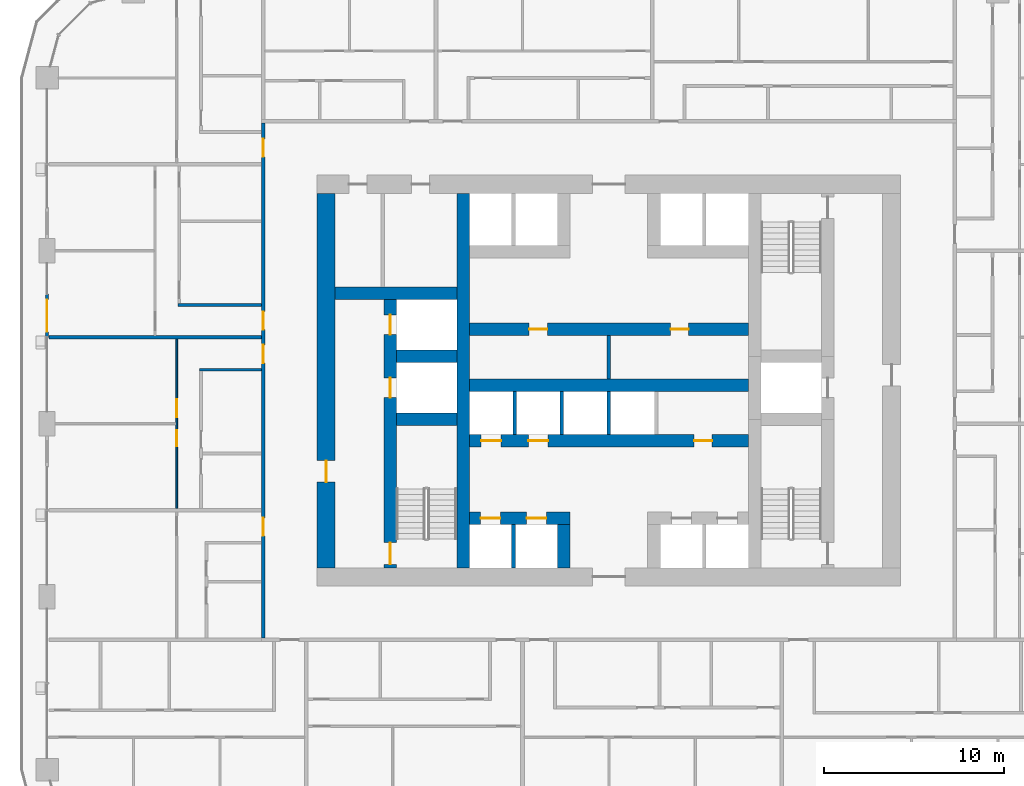
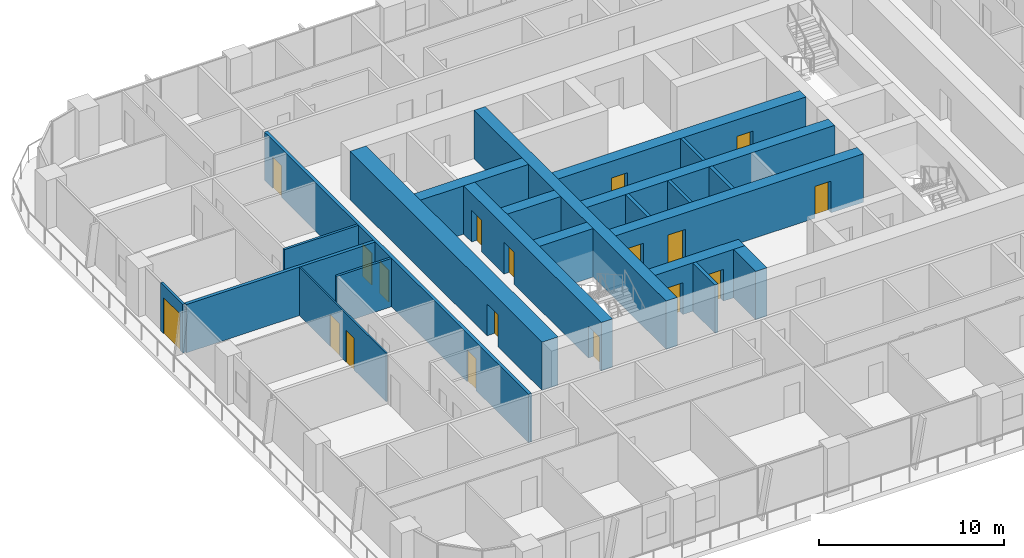
# One storey, part 10 of 21: 22 walls, 18 doors, 18 openings.
"""IFC4 building model written with IfcOpenShell, lengths in metres."""

import ifcopenshell
import ifcopenshell.guid

model = None  # the IFC model being written
_history = None  # IfcOwnerHistory: only IFC2X3 demands one
_inside = {}  # id of a spatial element -> (the spatial element, [elements in it])
_under = {}  # id of a project, library or spatial element -> (it, [spatial elements below it])
_declared = {}  # id of a project -> (the project, [libraries it declares])
_typed = {}  # id of a type object -> (the type object, [elements of that type])
_made_of = {}  # id of a material, layer set ... -> (it, [elements and type objects made of it])


def new_model(schema):
    """Start an empty IFC model of exactly this schema.

    Asked for "IFC4X3", IfcOpenShell would pick the latest addendum, in which some entities
    have other attributes; the version numbers below select the first issue.
    IFC2X3 requires an IfcOwnerHistory on every rooted entity: one is made here for all.
    """
    global model, _history
    if schema == "IFC4X3":
        model = ifcopenshell.file(schema_version=(4, 3, 0, 0))
    else:
        model = ifcopenshell.file(schema=schema)
    _inside.clear()
    _under.clear()
    _declared.clear()
    _typed.clear()
    _made_of.clear()
    _history = None
    if model.schema == "IFC2X3":
        org = make("IfcOrganization", Name="unknown")
        user = make(
            "IfcPersonAndOrganization",
            ThePerson=make("IfcPerson", FamilyName="unknown"),
            TheOrganization=org,
        )
        app = make(
            "IfcApplication",
            ApplicationDeveloper=org,
            Version="unknown",
            ApplicationFullName="unknown",
            ApplicationIdentifier="unknown",
        )
        _history = make(
            "IfcOwnerHistory",
            OwningUser=user,
            OwningApplication=app,
            ChangeAction="ADDED",
            CreationDate=0,
        )
    return model


def make(cls, **values):
    """One entity of the class cls with the attributes given. An attribute that is None is left unset."""
    return model.create_entity(
        cls, **{name: value for name, value in values.items() if value is not None}
    )


def rooted(cls, **values):
    """An entity with a GlobalId (a new one), such as an element, a storey or a relation."""
    return make(cls, GlobalId=ifcopenshell.guid.new(), OwnerHistory=_history, **values)


def si_unit(unit_type, name, prefix=None):
    """IfcSIUnit, for example si_unit("LENGTHUNIT", "METRE", prefix="MILLI")."""
    return make("IfcSIUnit", UnitType=unit_type, Prefix=prefix, Name=name)


def assignment(units):
    """IfcUnitAssignment: the units of a project."""
    return None if units is None else make("IfcUnitAssignment", Units=units)


def point(xyz):
    """IfcCartesianPoint."""
    return None if xyz is None else make("IfcCartesianPoint", Coordinates=xyz)


def direction(xyz):
    """IfcDirection."""
    return None if xyz is None else make("IfcDirection", DirectionRatios=xyz)


def frame(location, z_axis=None, x_axis=None):
    """IfcAxis2Placement3D, a coordinate frame: its origin and axes. An axis left out is left unset."""
    return make(
        "IfcAxis2Placement3D",
        Location=point(location),
        Axis=direction(z_axis),
        RefDirection=direction(x_axis),
    )


def frame_2d(location, x_axis=None):
    """IfcAxis2Placement2D, a coordinate frame in the plane: its origin and x axis."""
    return make(
        "IfcAxis2Placement2D", Location=point(location), RefDirection=direction(x_axis)
    )


def origin():
    """The frame at (0, 0, 0) with its axes left unset."""
    return frame((0.0, 0.0, 0.0))


def place(relative_to, where):
    """IfcLocalPlacement: puts the frame where relative to a parent placement (None: the world)."""
    return make(
        "IfcLocalPlacement", PlacementRelTo=relative_to, RelativePlacement=where
    )


def context(
    kind, dimensions, precision=None, world=None, true_north=None, identifier=None
):
    """IfcGeometricRepresentationContext, for example the 3D "Model" context."""
    return make(
        "IfcGeometricRepresentationContext",
        ContextIdentifier=identifier,
        ContextType=kind,
        CoordinateSpaceDimension=dimensions,
        Precision=precision,
        WorldCoordinateSystem=world,
        TrueNorth=true_north,
    )


def subcontext(parent, identifier, kind, view, scale=None):
    """IfcGeometricRepresentationSubContext, for example "Body" below "Model"."""
    return make(
        "IfcGeometricRepresentationSubContext",
        ContextIdentifier=identifier,
        ContextType=kind,
        ParentContext=parent,
        TargetScale=scale,
        TargetView=view,
    )


def project(units=None, contexts=None):
    """IfcProject with its units and contexts."""
    return rooted(
        "IfcProject",
        Name="project",
        RepresentationContexts=contexts,
        UnitsInContext=assignment(units),
    )


def spatial(cls, under=None, at=None, **own):
    """A site, building, storey or space (cls), placed at a placement, below another one or the project."""
    s = rooted(cls, ObjectPlacement=at, **own)
    if under is not None:
        _under.setdefault(under.id(), (under, []))[1].append(s)
    return s


def profile(cls, at=None, kind="AREA", **sizes):
    """A parametric profile (cls). Its sizes go by their IFC names, for example OverallWidth=200.0."""
    return make(cls, ProfileType=kind, Position=at, **sizes)


def rectangle(**sizes):
    """IfcRectangleProfileDef."""
    return profile("IfcRectangleProfileDef", **sizes)


def extrude(swept, where, along, depth):
    """IfcExtrudedAreaSolid: the profile swept, set in the frame where, extruded along a direction by depth."""
    return make(
        "IfcExtrudedAreaSolid",
        SweptArea=swept,
        Position=where,
        ExtrudedDirection=direction(along),
        Depth=depth,
    )


def shape(context_of_items, identifier, shape_type, items):
    """IfcShapeRepresentation: the items that make up one representation, for example the "Body"."""
    return make(
        "IfcShapeRepresentation",
        ContextOfItems=context_of_items,
        RepresentationIdentifier=identifier,
        RepresentationType=shape_type,
        Items=items,
    )


def material(Name=None, Category=None):
    """IfcMaterial."""
    return make("IfcMaterial", Name=Name, Category=Category)


def layer(
    of_material, thickness, ventilated=None, Name=None, Category=None, Priority=None
):
    """IfcMaterialLayer: one layer of a wall or slab, of a material (None: an air gap)."""
    return make(
        "IfcMaterialLayer",
        Material=of_material,
        LayerThickness=thickness,
        IsVentilated=ventilated,
        Name=Name,
        Category=Category,
        Priority=Priority,
    )


def layer_set(layers, Name=None):
    """IfcMaterialLayerSet."""
    return make("IfcMaterialLayerSet", MaterialLayers=layers, LayerSetName=Name)


def made_of(thing, what):
    """Note that an element or type object is made of a material, layer set ...; save() writes the relation."""
    if what is not None:
        _made_of.setdefault(what.id(), (what, []))[1].append(thing)
    return thing


def type_object(cls, material=None, **own):
    """A type object (cls), such as IfcWallType, which elements share."""
    return made_of(rooted(cls, **own), material)


def element(
    cls,
    number,
    at=None,
    inside=None,
    cuts=None,
    type_object=None,
    material=None,
    context=None,
    identifier="Body",
    shape_type=None,
    held_by="IfcProductDefinitionShape",
    body=None,
    shapes=None,
    **own,
):
    """One element of the class cls, such as IfcWall. Its Tag is "e" and its number.

    at: its placement. inside: the storey or other place that contains it. cuts: it is an
    opening in that element (IfcRelVoidsElement). A single representation is given by context,
    identifier, shape_type and body (its items); several are given by shapes. held_by: the class
    of the entity that holds the representations. save() writes the other relations.
    """
    e = rooted(cls, Tag="e%d" % number, ObjectPlacement=at, **own)
    if body is not None:
        shapes = [shape(context, identifier, shape_type, body)]
    if shapes is not None:
        e.Representation = make(held_by, Representations=shapes)
    if inside is not None:
        _inside.setdefault(inside.id(), (inside, []))[1].append(e)
    if cuts is not None:
        rooted(
            "IfcRelVoidsElement", RelatingBuildingElement=cuts, RelatedOpeningElement=e
        )
    if type_object is not None:
        _typed.setdefault(type_object.id(), (type_object, []))[1].append(e)
    return made_of(e, material)


def fill(opening, filler):
    """IfcRelFillsElement: the door or window that sits in an opening."""
    return rooted(
        "IfcRelFillsElement",
        RelatingOpeningElement=opening,
        RelatedBuildingElement=filler,
    )


def aggregate(whole, parts):
    """IfcRelAggregates: a whole, such as a stair, and the parts it consists of."""
    return rooted("IfcRelAggregates", RelatingObject=whole, RelatedObjects=parts)


def save(model, path):
    """Write the relations noted so far, then the file.

    IfcRelAggregates (storeys below a building ...), IfcRelContainedInSpatialStructure (elements
    in a storey), IfcRelDefinesByType, IfcRelAssociatesMaterial and IfcRelDeclares: one each for
    every whole, place, type object, material and project.
    """
    for whole, parts in _under.values():
        aggregate(whole, parts)
    for where, things in _inside.values():
        rooted(
            "IfcRelContainedInSpatialStructure",
            RelatedElements=things,
            RelatingStructure=where,
        )
    for kind, things in _typed.values():
        rooted("IfcRelDefinesByType", RelatedObjects=things, RelatingType=kind)
    for what, things in _made_of.values():
        rooted("IfcRelAssociatesMaterial", RelatedObjects=things, RelatingMaterial=what)
    for by, libraries in _declared.values():
        rooted("IfcRelDeclares", RelatingContext=by, RelatedDefinitions=libraries)
    model.write(path)


model = new_model("IFC4")

# Units and contexts
model_context = context("Model", 3, precision=1e-05, world=origin(), true_north=direction((0.0, 1.0)))
body_context = subcontext(model_context, "Body", "Model", "MODEL_VIEW")
ifc_project = project(units=[si_unit("LENGTHUNIT", "METRE"), si_unit("AREAUNIT", "SQUARE_METRE"), si_unit("VOLUMEUNIT", "CUBIC_METRE"), si_unit("PLANEANGLEUNIT", "RADIAN"), si_unit("MASSUNIT", "GRAM", prefix="KILO")], contexts=[model_context])

# Site, building, storey
site_placement = place(None, origin())
site = spatial("IfcSite", under=ifc_project, at=site_placement, CompositionType="ELEMENT")
building_placement = place(site_placement, origin())
building = spatial("IfcBuilding", under=site, at=building_placement, Name="Madar Terraces", CompositionType="ELEMENT")
storey_placement = place(building_placement, frame((0.0, 0.0, 39.89990234375)))
storey = spatial("IfcBuildingStorey", under=building, at=storey_placement, Name="L09", CompositionType="ELEMENT", Elevation=39.89990234375)

# Wall, openings, doors
ifc_material_1 = material(Name="Concrete C80/95", Category="concrete")
ifc_layer_1 = layer(ifc_material_1, 0.699951171875)
ifc_layer_set_1 = layer_set([ifc_layer_1], Name="Concrete C80/95 (CIW1 RC wall 700)")
wall_type_1 = type_object("IfcWallType", Name="CIW1 RC wall 700", PredefinedType="SHEAR", material=ifc_layer_set_1)
wall_1_placement = place(storey_placement, frame((19.050048828125, 16.0, 0.0), z_axis=(0.0, 0.0, 1.0), x_axis=(0.0, 1.0, 0.0)))
wall_1 = element("IfcWall", 1, at=wall_1_placement, inside=storey, type_object=wall_type_1, Name="CORE SHAFT WALL", PredefinedType="SHEAR", context=body_context, shape_type="SweptSolid", body=[
    extrude(rectangle(XDim=14.89990234375, YDim=0.699951171875, at=frame_2d((7.449951171875, 0.0))), origin(), (0.0, 0.0, 1.0), 3.2001953125),
])
opening_1_placement = place(wall_1_placement, frame((9.449951171875, 0.0, 0.0)))
opening_1 = element("IfcOpeningElement", 2, at=opening_1_placement, cuts=wall_1, Name="Opening LD", PredefinedType="OPENING", context=body_context, shape_type="SweptSolid", body=[
    extrude(rectangle(XDim=1.10009765625, YDim=2.10009765625, at=frame_2d((0.550048828125, 1.050048828125))), frame((0.0, 0.35986328125, 0.0), z_axis=(0.0, -1.0, 0.0), x_axis=(1.0, 0.0, 0.0)), (0.0, 0.0, 1.0), 0.719970703125),
])
opening_2_placement = place(wall_1_placement, frame((12.949951171875, 0.0, 0.0)))
opening_2 = element("IfcOpeningElement", 3, at=opening_2_placement, cuts=wall_1, Name="Opening LD", PredefinedType="OPENING", context=body_context, shape_type="SweptSolid", body=[
    extrude(rectangle(XDim=1.10009765625, YDim=2.10009765625, at=frame_2d((0.550048828125, 1.050048828125))), frame((0.0, 0.35986328125, 0.0), z_axis=(0.0, -1.0, 0.0), x_axis=(1.0, 0.0, 0.0)), (0.0, 0.0, 1.0), 0.719970703125),
])
opening_3_placement = place(wall_1_placement, frame((0.199951171875, 0.0, 0.0)))
opening_3 = element("IfcOpeningElement", 4, at=opening_3_placement, cuts=wall_1, Name="Opening SD1", PredefinedType="OPENING", context=body_context, shape_type="SweptSolid", body=[
    extrude(rectangle(XDim=1.199951171875, YDim=2.10009765625, at=frame_2d((0.60009765625, 1.050048828125))), frame((0.0, 0.35986328125, 0.0), z_axis=(0.0, -1.0, 0.0), x_axis=(1.0, 0.0, 0.0)), (0.0, 0.0, 1.0), 0.719970703125),
])
ifc_material_2 = material(Name="Stainless steel panel", Category="steel")
door_type_1 = type_object("IfcDoorType", Name="Lift landing door 1100 x 2100", OperationType="DOUBLE_DOOR_SLIDING", PredefinedType="DOOR", material=ifc_material_2)
door_1_placement = place(opening_1_placement, origin())
door_1 = element("IfcDoor", 5, at=door_1_placement, inside=storey, type_object=door_type_1, Name="LIFT LANDING DOOR", OperationType="DOUBLE_DOOR_SLIDING", OverallHeight=2.10009765625, OverallWidth=1.10009765625, PredefinedType="DOOR", context=body_context, shape_type="SweptSolid", body=[
    extrude(rectangle(XDim=1.10009765625, YDim=2.10009765625, at=frame_2d((0.550048828125, 1.050048828125))), frame((0.0, 0.02490234375, 0.0), z_axis=(0.0, -1.0, 0.0), x_axis=(1.0, 0.0, 0.0)), (0.0, 0.0, 1.0), 0.050048828125),
])
fill(opening_1, door_1)
door_2_placement = place(opening_2_placement, origin())
door_2 = element("IfcDoor", 6, at=door_2_placement, inside=storey, type_object=door_type_1, Name="LIFT LANDING DOOR", OperationType="DOUBLE_DOOR_SLIDING", OverallHeight=2.10009765625, OverallWidth=1.10009765625, PredefinedType="DOOR", context=body_context, shape_type="SweptSolid", body=[
    extrude(rectangle(XDim=1.10009765625, YDim=2.10009765625, at=frame_2d((0.550048828125, 1.050048828125))), frame((0.0, 0.02490234375, 0.0), z_axis=(0.0, -1.0, 0.0), x_axis=(1.0, 0.0, 0.0)), (0.0, 0.0, 1.0), 0.050048828125),
])
fill(opening_2, door_2)
ifc_material_3 = material(Name="Steel door leaf", Category="steel")
door_type_2 = type_object("IfcDoorType", Name="Stair door 1200 x 2100", OperationType="NOTDEFINED", PredefinedType="DOOR", material=ifc_material_3)
door_3_placement = place(opening_3_placement, frame((1.199951171875, 0.0, 0.0), z_axis=(0.0, 0.0, 1.0), x_axis=(-1.0, 0.0, 0.0)))
door_3 = element("IfcDoor", 7, at=door_3_placement, inside=storey, type_object=door_type_2, Name="STAIR DOOR", OperationType="SINGLE_SWING_LEFT", OverallHeight=2.10009765625, OverallWidth=1.199951171875, PredefinedType="DOOR", context=body_context, shape_type="SweptSolid", body=[
    extrude(rectangle(XDim=1.199951171875, YDim=2.10009765625, at=frame_2d((0.60009765625, 1.050048828125))), frame((0.0, 0.02490234375, 0.0), z_axis=(0.0, -1.0, 0.0), x_axis=(1.0, 0.0, 0.0)), (0.0, 0.0, 1.0), 0.050048828125),
])
fill(opening_3, door_3)

# Walls
wall_2_placement = place(storey_placement, frame((23.10009765625, 16.0, 0.0), z_axis=(0.0, 0.0, 1.0), x_axis=(0.0, 1.0, 0.0)))
element("IfcWall", 8, at=wall_2_placement, inside=storey, type_object=wall_type_1, Name="CORE SHAFT WALL", PredefinedType="SHEAR", context=body_context, shape_type="SweptSolid", body=[
    extrude(rectangle(XDim=20.800048828125, YDim=0.699951171875, at=frame_2d((10.39990234375, 0.0))), origin(), (0.0, 0.0, 1.0), 3.2001953125),
])
for number, where, z_axis, x_axis, name in (
    (9, (19.39990234375, 24.25, 0.0), (0.0, 0.0, 1.0), (1.0, 0.0, 0.0), "CORE SHAFT WALL"),
    (10, (19.39990234375, 27.75, 0.0), (0.0, 0.0, 1.0), (1.0, 0.0, 0.0), "CORE SHAFT WALL"),
):
    element("IfcWall", number, at=place(storey_placement, frame(where, z_axis=z_axis, x_axis=x_axis)), inside=storey, type_object=wall_type_1, Name=name, PredefinedType="SHEAR", context=body_context, shape_type="SweptSolid", body=[
        extrude(rectangle(XDim=3.35009765625, YDim=0.699951171875, at=frame_2d((1.675048828125, 0.0))), origin(), (0.0, 0.0, 1.0), 3.2001953125),
    ])
wall_3_placement = place(storey_placement, frame((16.0, 31.25, 0.0), z_axis=(0.0, 0.0, 1.0), x_axis=(1.0, 0.0, 0.0)))
element("IfcWall", 11, at=wall_3_placement, inside=storey, type_object=wall_type_1, Name="CORE SHAFT WALL", PredefinedType="SHEAR", context=body_context, shape_type="SweptSolid", body=[
    extrude(rectangle(XDim=6.75, YDim=0.699951171875, at=frame_2d((3.375, 0.0))), origin(), (0.0, 0.0, 1.0), 3.2001953125),
])

# Wall, openings, doors
wall_4_placement = place(storey_placement, frame((23.449951171875, 18.75, 0.0), z_axis=(0.0, 0.0, 1.0), x_axis=(1.0, 0.0, 0.0)))
wall_4 = element("IfcWall", 12, at=wall_4_placement, inside=storey, type_object=wall_type_1, Name="CORE SHAFT WALL", PredefinedType="SHEAR", context=body_context, shape_type="SweptSolid", body=[
    extrude(rectangle(XDim=5.60009765625, YDim=0.699951171875, at=frame_2d((2.800048828125, 0.0))), origin(), (0.0, 0.0, 1.0), 3.2001953125),
])
opening_4_placement = place(wall_4_placement, frame((0.625, 0.0, 0.0)))
opening_4 = element("IfcOpeningElement", 13, at=opening_4_placement, cuts=wall_4, Name="Opening LD", PredefinedType="OPENING", context=body_context, shape_type="SweptSolid", body=[
    extrude(rectangle(XDim=1.10009765625, YDim=2.10009765625, at=frame_2d((0.550048828125, 1.050048828125))), frame((0.0, 0.35986328125, 0.0), z_axis=(0.0, -1.0, 0.0), x_axis=(1.0, 0.0, 0.0)), (0.0, 0.0, 1.0), 0.719970703125),
])
opening_5_placement = place(wall_4_placement, frame((3.175048828125, 0.0, 0.0)))
opening_5 = element("IfcOpeningElement", 14, at=opening_5_placement, cuts=wall_4, Name="Opening LD", PredefinedType="OPENING", context=body_context, shape_type="SweptSolid", body=[
    extrude(rectangle(XDim=1.10009765625, YDim=2.10009765625, at=frame_2d((0.550048828125, 1.050048828125))), frame((0.0, 0.35986328125, 0.0), z_axis=(0.0, -1.0, 0.0), x_axis=(1.0, 0.0, 0.0)), (0.0, 0.0, 1.0), 0.719970703125),
])
door_4_placement = place(opening_4_placement, origin())
door_4 = element("IfcDoor", 15, at=door_4_placement, inside=storey, type_object=door_type_1, Name="LIFT LANDING DOOR", OperationType="DOUBLE_DOOR_SLIDING", OverallHeight=2.10009765625, OverallWidth=1.10009765625, PredefinedType="DOOR", context=body_context, shape_type="SweptSolid", body=[
    extrude(rectangle(XDim=1.10009765625, YDim=2.10009765625, at=frame_2d((0.550048828125, 1.050048828125))), frame((0.0, 0.02490234375, 0.0), z_axis=(0.0, -1.0, 0.0), x_axis=(1.0, 0.0, 0.0)), (0.0, 0.0, 1.0), 0.050048828125),
])
fill(opening_4, door_4)
door_5_placement = place(opening_5_placement, origin())
door_5 = element("IfcDoor", 16, at=door_5_placement, inside=storey, type_object=door_type_1, Name="LIFT LANDING DOOR", OperationType="DOUBLE_DOOR_SLIDING", OverallHeight=2.10009765625, OverallWidth=1.10009765625, PredefinedType="DOOR", context=body_context, shape_type="SweptSolid", body=[
    extrude(rectangle(XDim=1.10009765625, YDim=2.10009765625, at=frame_2d((0.550048828125, 1.050048828125))), frame((0.0, 0.02490234375, 0.0), z_axis=(0.0, -1.0, 0.0), x_axis=(1.0, 0.0, 0.0)), (0.0, 0.0, 1.0), 0.050048828125),
])
fill(opening_5, door_5)

wall_5_placement = place(storey_placement, frame((23.449951171875, 23.050048828125, 0.0), z_axis=(0.0, 0.0, 1.0), x_axis=(1.0, 0.0, 0.0)))
wall_5 = element("IfcWall", 17, at=wall_5_placement, inside=storey, type_object=wall_type_1, Name="CORE SHAFT WALL", PredefinedType="SHEAR", context=body_context, shape_type="SweptSolid", body=[
    extrude(rectangle(XDim=15.5, YDim=0.699951171875, at=frame_2d((7.75, 0.0))), origin(), (0.0, 0.0, 1.0), 3.2001953125),
])
opening_6_placement = place(wall_5_placement, frame((0.658447265625, 0.0, 0.0)))
opening_6 = element("IfcOpeningElement", 18, at=opening_6_placement, cuts=wall_5, Name="Opening LD", PredefinedType="OPENING", context=body_context, shape_type="SweptSolid", body=[
    extrude(rectangle(XDim=1.10009765625, YDim=2.10009765625, at=frame_2d((0.550048828125, 1.050048828125))), frame((0.0, 0.35986328125, 0.0), z_axis=(0.0, -1.0, 0.0), x_axis=(1.0, 0.0, 0.0)), (0.0, 0.0, 1.0), 0.719970703125),
])
opening_7_placement = place(wall_5_placement, frame((3.27490234375, 0.0, 0.0)))
opening_7 = element("IfcOpeningElement", 19, at=opening_7_placement, cuts=wall_5, Name="Opening LD", PredefinedType="OPENING", context=body_context, shape_type="SweptSolid", body=[
    extrude(rectangle(XDim=1.10009765625, YDim=2.10009765625, at=frame_2d((0.550048828125, 1.050048828125))), frame((0.0, 0.35986328125, 0.0), z_axis=(0.0, -1.0, 0.0), x_axis=(1.0, 0.0, 0.0)), (0.0, 0.0, 1.0), 0.719970703125),
])
opening_8_placement = place(wall_5_placement, frame((12.4833984375, 0.0, 0.0)))
opening_8 = element("IfcOpeningElement", 20, at=opening_8_placement, cuts=wall_5, Name="Opening KD2", PredefinedType="OPENING", context=body_context, shape_type="SweptSolid", body=[
    extrude(rectangle(XDim=1.0, YDim=2.10009765625, at=frame_2d((0.5, 1.050048828125))), frame((0.0, 0.35986328125, 0.0), z_axis=(0.0, -1.0, 0.0), x_axis=(1.0, 0.0, 0.0)), (0.0, 0.0, 1.0), 0.719970703125),
])
door_6_placement = place(opening_6_placement, origin())
door_6 = element("IfcDoor", 21, at=door_6_placement, inside=storey, type_object=door_type_1, Name="LIFT LANDING DOOR", OperationType="DOUBLE_DOOR_SLIDING", OverallHeight=2.10009765625, OverallWidth=1.10009765625, PredefinedType="DOOR", context=body_context, shape_type="SweptSolid", body=[
    extrude(rectangle(XDim=1.10009765625, YDim=2.10009765625, at=frame_2d((0.550048828125, 1.050048828125))), frame((0.0, 0.02490234375, 0.0), z_axis=(0.0, -1.0, 0.0), x_axis=(1.0, 0.0, 0.0)), (0.0, 0.0, 1.0), 0.050048828125),
])
fill(opening_6, door_6)
door_7_placement = place(opening_7_placement, origin())
door_7 = element("IfcDoor", 22, at=door_7_placement, inside=storey, type_object=door_type_1, Name="LIFT LANDING DOOR", OperationType="DOUBLE_DOOR_SLIDING", OverallHeight=2.10009765625, OverallWidth=1.10009765625, PredefinedType="DOOR", context=body_context, shape_type="SweptSolid", body=[
    extrude(rectangle(XDim=1.10009765625, YDim=2.10009765625, at=frame_2d((0.550048828125, 1.050048828125))), frame((0.0, 0.02490234375, 0.0), z_axis=(0.0, -1.0, 0.0), x_axis=(1.0, 0.0, 0.0)), (0.0, 0.0, 1.0), 0.050048828125),
])
fill(opening_7, door_7)
ifc_material_4 = material(Name="Steel door leaf", Category="steel")
door_type_3 = type_object("IfcDoorType", Name="Service room door 1000 x 2100", OperationType="NOTDEFINED", PredefinedType="DOOR", material=ifc_material_4)
door_8_placement = place(opening_8_placement, frame((1.0, 0.0, 0.0), z_axis=(0.0, 0.0, 1.0), x_axis=(-1.0, 0.0, 0.0)))
door_8 = element("IfcDoor", 23, at=door_8_placement, inside=storey, type_object=door_type_3, Name="SERVICE ROOM DOOR", OperationType="SINGLE_SWING_RIGHT", OverallHeight=2.10009765625, OverallWidth=1.0, PredefinedType="DOOR", context=body_context, shape_type="SweptSolid", body=[
    extrude(rectangle(XDim=1.0, YDim=2.10009765625, at=frame_2d((0.5, 1.050048828125))), frame((0.0, 0.02490234375, 0.0), z_axis=(0.0, -1.0, 0.0), x_axis=(1.0, 0.0, 0.0)), (0.0, 0.0, 1.0), 0.050048828125),
])
fill(opening_8, door_8)

# Wall
wall_6_placement = place(storey_placement, frame((23.449951171875, 26.14990234375, 0.0), z_axis=(0.0, 0.0, 1.0), x_axis=(1.0, 0.0, 0.0)))
element("IfcWall", 24, at=wall_6_placement, inside=storey, type_object=wall_type_1, Name="CORE SHAFT WALL", PredefinedType="SHEAR", context=body_context, shape_type="SweptSolid", body=[
    extrude(rectangle(XDim=15.5, YDim=0.699951171875, at=frame_2d((7.75, 0.0))), origin(), (0.0, 0.0, 1.0), 3.2001953125),
])

# Wall, openings, doors
wall_7_placement = place(storey_placement, frame((23.449951171875, 29.25, 0.0), z_axis=(0.0, 0.0, 1.0), x_axis=(1.0, 0.0, 0.0)))
wall_7 = element("IfcWall", 25, at=wall_7_placement, inside=storey, type_object=wall_type_1, Name="CORE SHAFT WALL", PredefinedType="SHEAR", context=body_context, shape_type="SweptSolid", body=[
    extrude(rectangle(XDim=15.5, YDim=0.699951171875, at=frame_2d((7.75, 0.0))), origin(), (0.0, 0.0, 1.0), 3.2001953125),
])
opening_9_placement = place(wall_7_placement, frame((3.324951171875, 0.0, 0.0)))
opening_9 = element("IfcOpeningElement", 26, at=opening_9_placement, cuts=wall_7, Name="Opening KD2", PredefinedType="OPENING", context=body_context, shape_type="SweptSolid", body=[
    extrude(rectangle(XDim=1.0, YDim=2.10009765625, at=frame_2d((0.5, 1.050048828125))), frame((0.0, 0.35986328125, 0.0), z_axis=(0.0, -1.0, 0.0), x_axis=(1.0, 0.0, 0.0)), (0.0, 0.0, 1.0), 0.719970703125),
])
opening_10_placement = place(wall_7_placement, frame((11.175048828125, 0.0, 0.0)))
opening_10 = element("IfcOpeningElement", 27, at=opening_10_placement, cuts=wall_7, Name="Opening KD2", PredefinedType="OPENING", context=body_context, shape_type="SweptSolid", body=[
    extrude(rectangle(XDim=1.0, YDim=2.10009765625, at=frame_2d((0.5, 1.050048828125))), frame((0.0, 0.35986328125, 0.0), z_axis=(0.0, -1.0, 0.0), x_axis=(1.0, 0.0, 0.0)), (0.0, 0.0, 1.0), 0.719970703125),
])
door_9_placement = place(opening_9_placement, origin())
door_9 = element("IfcDoor", 28, at=door_9_placement, inside=storey, type_object=door_type_3, Name="SERVICE ROOM DOOR", OperationType="SINGLE_SWING_LEFT", OverallHeight=2.10009765625, OverallWidth=1.0, PredefinedType="DOOR", context=body_context, shape_type="SweptSolid", body=[
    extrude(rectangle(XDim=1.0, YDim=2.10009765625, at=frame_2d((0.5, 1.050048828125))), frame((0.0, 0.02490234375, 0.0), z_axis=(0.0, -1.0, 0.0), x_axis=(1.0, 0.0, 0.0)), (0.0, 0.0, 1.0), 0.050048828125),
])
fill(opening_9, door_9)
door_10_placement = place(opening_10_placement, origin())
door_10 = element("IfcDoor", 29, at=door_10_placement, inside=storey, type_object=door_type_3, Name="SERVICE ROOM DOOR", OperationType="SINGLE_SWING_RIGHT", OverallHeight=2.10009765625, OverallWidth=1.0, PredefinedType="DOOR", context=body_context, shape_type="SweptSolid", body=[
    extrude(rectangle(XDim=1.0, YDim=2.10009765625, at=frame_2d((0.5, 1.050048828125))), frame((0.0, 0.02490234375, 0.0), z_axis=(0.0, -1.0, 0.0), x_axis=(1.0, 0.0, 0.0)), (0.0, 0.0, 1.0), 0.050048828125),
])
fill(opening_10, door_10)

# Wall
wall_8_placement = place(storey_placement, frame((28.699951171875, 16.0, 0.0), z_axis=(0.0, 0.0, 1.0), x_axis=(0.0, 1.0, 0.0)))
element("IfcWall", 30, at=wall_8_placement, inside=storey, type_object=wall_type_1, Name="CORE SHAFT WALL", PredefinedType="SHEAR", context=body_context, shape_type="SweptSolid", body=[
    extrude(rectangle(XDim=2.39990234375, YDim=0.699951171875, at=frame_2d((1.199951171875, 0.0))), origin(), (0.0, 0.0, 1.0), 3.2001953125),
])

# Wall, opening, door
ifc_material_5 = material(Name="Concrete C80/95", Category="concrete")
ifc_layer_2 = layer(ifc_material_5, 1.0)
ifc_layer_set_2 = layer_set([ifc_layer_2], Name="Concrete C80/95 (CRW1 RC wall 1000)")
wall_type_2 = type_object("IfcWallType", Name="CRW1 RC wall 1000", PredefinedType="SHEAR", material=ifc_layer_set_2)
wall_9_placement = place(storey_placement, frame((15.5, 16.0, 0.0), z_axis=(0.0, 0.0, 1.0), x_axis=(0.0, 1.0, 0.0)))
wall_9 = element("IfcWall", 31, at=wall_9_placement, inside=storey, type_object=wall_type_2, Name="CORE OUTER WALL", PredefinedType="SHEAR", context=body_context, shape_type="SweptSolid", body=[
    extrude(rectangle(XDim=20.800048828125, YDim=1.0, at=frame_2d((10.39990234375, 0.0))), origin(), (0.0, 0.0, 1.0), 3.2001953125),
])
opening_11_placement = place(wall_9_placement, frame((4.760009765625, 0.0, 0.0)))
opening_11 = element("IfcOpeningElement", 32, at=opening_11_placement, cuts=wall_9, Name="Opening SD1", PredefinedType="OPENING", context=body_context, shape_type="SweptSolid", body=[
    extrude(rectangle(XDim=1.199951171875, YDim=2.10009765625, at=frame_2d((0.60009765625, 1.050048828125))), frame((0.0, 0.510009765625, 0.0), z_axis=(0.0, -1.0, 0.0), x_axis=(1.0, 0.0, 0.0)), (0.0, 0.0, 1.0), 1.02001953125),
])
door_11_placement = place(opening_11_placement, frame((1.199951171875, 0.0, 0.0), z_axis=(0.0, 0.0, 1.0), x_axis=(-1.0, 0.0, 0.0)))
door_11 = element("IfcDoor", 33, at=door_11_placement, inside=storey, type_object=door_type_2, Name="STAIR DOOR", OperationType="SINGLE_SWING_RIGHT", OverallHeight=2.10009765625, OverallWidth=1.199951171875, PredefinedType="DOOR", context=body_context, shape_type="SweptSolid", body=[
    extrude(rectangle(XDim=1.199951171875, YDim=2.10009765625, at=frame_2d((0.60009765625, 1.050048828125))), frame((0.0, 0.02490234375, 0.0), z_axis=(0.0, -1.0, 0.0), x_axis=(1.0, 0.0, 0.0)), (0.0, 0.0, 1.0), 0.050048828125),
])
fill(opening_11, door_11)

# Walls
ifc_material_6 = material(Name="Masonry blockwork", Category="masonry")
ifc_layer_3 = layer(ifc_material_6, 0.199951171875)
ifc_layer_set_3 = layer_set([ifc_layer_3], Name="Core partition 200 blockwork")
wall_type_3 = type_object("IfcWallType", Name="Core partition 200 blockwork", PredefinedType="PARTITIONING", material=ifc_layer_set_3)
wall_10_placement = place(storey_placement, frame((31.199951171875, 26.5, 0.0), z_axis=(0.0, 0.0, 1.0), x_axis=(0.0, 1.0, 0.0)))
element("IfcWall", 34, at=wall_10_placement, inside=storey, type_object=wall_type_3, Name="SERVICE ROOM PARTITION", PredefinedType="PARTITIONING", context=body_context, shape_type="SweptSolid", body=[
    extrude(rectangle(XDim=2.39990234375, YDim=0.199951171875, at=frame_2d((1.199951171875, 0.0))), origin(), (0.0, 0.0, 1.0), 3.2001953125),
])
ifc_material_7 = material(Name="Concrete C40/50", Category="concrete")
ifc_layer_4 = layer(ifc_material_7, 0.199951171875)
ifc_layer_set_4 = layer_set([ifc_layer_4], Name="Core shaft dividing wall 200 C40/50")
wall_type_4 = type_object("IfcWallType", Name="Core shaft dividing wall 200 C40/50", PredefinedType="SOLIDWALL", material=ifc_layer_set_4)
for number, where, z_axis, x_axis, name in (
    (35, (25.966552734375, 23.39990234375, 0.0), (0.0, 0.0, 1.0), (0.0, 1.0, 0.0), "SHAFT DIVIDING WALL"),
    (36, (28.583251953125, 23.39990234375, 0.0), (0.0, 0.0, 1.0), (0.0, 1.0, 0.0), "SHAFT DIVIDING WALL"),
    (37, (31.199951171875, 23.39990234375, 0.0), (0.0, 0.0, 1.0), (0.0, 1.0, 0.0), "SHAFT DIVIDING WALL"),
):
    element("IfcWall", number, at=place(storey_placement, frame(where, z_axis=z_axis, x_axis=x_axis)), inside=storey, type_object=wall_type_4, Name=name, PredefinedType="SOLIDWALL", context=body_context, shape_type="SweptSolid", body=[
        extrude(rectangle(XDim=2.400146484375, YDim=0.199951171875, at=frame_2d((1.2001953125, 0.0))), origin(), (0.0, 0.0, 1.0), 3.2001953125),
    ])
wall_11_placement = place(storey_placement, frame((25.89990234375, 16.0, 0.0), z_axis=(0.0, 0.0, 1.0), x_axis=(0.0, 1.0, 0.0)))
element("IfcWall", 38, at=wall_11_placement, inside=storey, type_object=wall_type_4, Name="SHAFT DIVIDING WALL", PredefinedType="SOLIDWALL", context=body_context, shape_type="SweptSolid", body=[
    extrude(rectangle(XDim=2.39990234375, YDim=0.199951171875, at=frame_2d((1.199951171875, 0.0))), origin(), (0.0, 0.0, 1.0), 3.2001953125),
])

# Wall, opening, door
ifc_material_8 = material(Name="Aluminium composite panel, black, over insulated backing", Category="aluminium")
ifc_layer_5 = layer(ifc_material_8, 0.14990234375)
ifc_layer_set_5 = layer_set([ifc_layer_5], Name="Facade bay panel 150")
wall_type_5 = type_object("IfcWallType", Name="Facade bay panel 150", PredefinedType="SOLIDWALL", material=ifc_layer_set_5)
wall_12_placement = place(storey_placement, frame((0.0, 31.199951171875, 0.0), z_axis=(0.0, 0.0, 1.0), x_axis=(0.0, -1.0, 0.0)))
wall_12 = element("IfcWall", 39, at=wall_12_placement, inside=storey, type_object=wall_type_5, Name="Facade bay panel", PredefinedType="SOLIDWALL", context=body_context, shape_type="SweptSolid", body=[
    extrude(rectangle(XDim=2.39990234375, YDim=0.14990234375, at=frame_2d((1.199951171875, 0.0))), origin(), (0.0, 0.0, 1.0), 3.2001953125),
])
opening_12_placement = place(wall_12_placement, frame((0.300048828125, 0.0, 0.0)))
opening_12 = element("IfcOpeningElement", 40, at=opening_12_placement, cuts=wall_12, Name="Opening ED1", PredefinedType="OPENING", context=body_context, shape_type="SweptSolid", body=[
    extrude(rectangle(XDim=1.800048828125, YDim=2.39990234375, at=frame_2d((0.89990234375, 1.199951171875))), frame((0.0, 0.0849609375, 0.0), z_axis=(0.0, -1.0, 0.0), x_axis=(1.0, 0.0, 0.0)), (0.0, 0.0, 1.0), 0.169921875),
])
ifc_material_9 = material(Name="Glass, clear, with black aluminium frame", Category="aluminium")
door_type_4 = type_object("IfcDoorType", Name="Balcony and terrace sliding door 1800 x 2400", OperationType="SLIDING_TO_LEFT", PredefinedType="DOOR", material=ifc_material_9)
door_12_placement = place(opening_12_placement, origin())
door_12 = element("IfcDoor", 41, at=door_12_placement, inside=storey, type_object=door_type_4, Name="Balcony door", OperationType="SLIDING_TO_RIGHT", OverallHeight=2.39990234375, OverallWidth=1.800048828125, PredefinedType="DOOR", context=body_context, shape_type="SweptSolid", body=[
    extrude(rectangle(XDim=1.800048828125, YDim=2.39990234375, at=frame_2d((0.89990234375, 1.199951171875))), frame((0.0, 0.02490234375, 0.0), z_axis=(0.0, -1.0, 0.0), x_axis=(1.0, 0.0, 0.0)), (0.0, 0.0, 1.0), 0.050048828125),
])
fill(opening_12, door_12)

# Wall, openings, doors
ifc_material_10 = material(Name="Gypsum board on steel studs", Category="steel")
ifc_layer_6 = layer(ifc_material_10, 0.10009765625)
ifc_layer_set_6 = layer_set([ifc_layer_6], Name="Flat partition 100")
wall_type_6 = type_object("IfcWallType", Name="Flat partition 100", PredefinedType="PARTITIONING", material=ifc_layer_set_6)
wall_13_placement = place(storey_placement, frame((7.199951171875, 19.300048828125, 0.0), z_axis=(0.0, 0.0, 1.0), x_axis=(0.0, 1.0, 0.0)))
wall_13 = element("IfcWall", 42, at=wall_13_placement, inside=storey, type_object=wall_type_6, Name="Flat partition 100", PredefinedType="PARTITIONING", context=body_context, shape_type="SweptSolid", body=[
    extrude(rectangle(XDim=9.39990234375, YDim=0.10009765625, at=frame_2d((4.699951171875, 0.0))), origin(), (0.0, 0.0, 1.0), 3.2001953125),
])
opening_13_placement = place(wall_13_placement, frame((5.050048828125, 0.0, 0.0)))
opening_13 = element("IfcOpeningElement", 43, at=opening_13_placement, cuts=wall_13, Name="Opening D3", PredefinedType="OPENING", context=body_context, shape_type="SweptSolid", body=[
    extrude(rectangle(XDim=1.0, YDim=2.10009765625, at=frame_2d((0.5, 1.050048828125))), frame((0.0, 0.06005859375, 0.0), z_axis=(0.0, -1.0, 0.0), x_axis=(1.0, 0.0, 0.0)), (0.0, 0.0, 1.0), 0.1201171875),
])
opening_14_placement = place(wall_13_placement, frame((3.449951171875, 0.0, 0.0)))
opening_14 = element("IfcOpeningElement", 44, at=opening_14_placement, cuts=wall_13, Name="Opening D2", PredefinedType="OPENING", context=body_context, shape_type="SweptSolid", body=[
    extrude(rectangle(XDim=0.89990234375, YDim=2.10009765625, at=frame_2d((0.449951171875, 1.050048828125))), frame((0.0, 0.06005859375, 0.0), z_axis=(0.0, -1.0, 0.0), x_axis=(1.0, 0.0, 0.0)), (0.0, 0.0, 1.0), 0.1201171875),
])
ifc_material_11 = material(Name="Timber door leaf", Category="wood")
door_type_5 = type_object("IfcDoorType", Name="Flat living room door 1000", OperationType="NOTDEFINED", PredefinedType="DOOR", material=ifc_material_11)
door_13_placement = place(opening_13_placement, origin())
door_13 = element("IfcDoor", 45, at=door_13_placement, inside=storey, type_object=door_type_5, Name="Flat living room door 1000", OperationType="SINGLE_SWING_LEFT", OverallHeight=2.10009765625, OverallWidth=1.0, PredefinedType="DOOR", context=body_context, shape_type="SweptSolid", body=[
    extrude(rectangle(XDim=1.0, YDim=2.10009765625, at=frame_2d((0.5, 1.050048828125))), frame((0.0, 0.02490234375, 0.0), z_axis=(0.0, -1.0, 0.0), x_axis=(1.0, 0.0, 0.0)), (0.0, 0.0, 1.0), 0.050048828125),
])
fill(opening_13, door_13)
ifc_material_12 = material(Name="Timber door leaf", Category="wood")
door_type_6 = type_object("IfcDoorType", Name="Flat room door 900", OperationType="NOTDEFINED", PredefinedType="DOOR", material=ifc_material_12)
door_14_placement = place(opening_14_placement, origin())
door_14 = element("IfcDoor", 46, at=door_14_placement, inside=storey, type_object=door_type_6, Name="Flat room door 900", OperationType="SINGLE_SWING_RIGHT", OverallHeight=2.10009765625, OverallWidth=0.89990234375, PredefinedType="DOOR", context=body_context, shape_type="SweptSolid", body=[
    extrude(rectangle(XDim=0.89990234375, YDim=2.10009765625, at=frame_2d((0.449951171875, 1.050048828125))), frame((0.0, 0.02490234375, 0.0), z_axis=(0.0, -1.0, 0.0), x_axis=(1.0, 0.0, 0.0)), (0.0, 0.0, 1.0), 0.050048828125),
])
fill(opening_14, door_14)

ifc_material_13 = material(Name="Lightweight blockwork", Category="masonry")
ifc_layer_7 = layer(ifc_material_13, 0.199951171875)
ifc_layer_set_7 = layer_set([ifc_layer_7], Name="Flat party and entrance wall 200")
wall_type_7 = type_object("IfcWallType", Name="Flat party and entrance wall 200", PredefinedType="PARTITIONING", material=ifc_layer_set_7)
wall_14_placement = place(storey_placement, frame((12.0, 12.10009765625, 0.0), z_axis=(0.0, 0.0, 1.0), x_axis=(0.0, 1.0, 0.0)))
wall_14 = element("IfcWall", 47, at=wall_14_placement, inside=storey, type_object=wall_type_7, Name="Flat party and entrance wall 200", PredefinedType="PARTITIONING", context=body_context, shape_type="SweptSolid", body=[
    extrude(rectangle(XDim=28.599853515625, YDim=0.199951171875, at=frame_2d((14.2998046875, 0.0))), origin(), (0.0, 0.0, 1.0), 3.2001953125),
])
opening_15_placement = place(wall_14_placement, frame((26.72509765625, 0.0, 0.0)))
opening_15 = element("IfcOpeningElement", 48, at=opening_15_placement, cuts=wall_14, Name="Opening D1", PredefinedType="OPENING", context=body_context, shape_type="SweptSolid", body=[
    extrude(rectangle(XDim=1.0, YDim=2.10009765625, at=frame_2d((0.5, 1.050048828125))), frame((0.0, 0.10986328125, 0.0), z_axis=(0.0, -1.0, 0.0), x_axis=(1.0, 0.0, 0.0)), (0.0, 0.0, 1.0), 0.219970703125),
])
opening_16_placement = place(wall_14_placement, frame((17.125, 0.0, 0.0)))
opening_16 = element("IfcOpeningElement", 49, at=opening_16_placement, cuts=wall_14, Name="Opening D1", PredefinedType="OPENING", context=body_context, shape_type="SweptSolid", body=[
    extrude(rectangle(XDim=1.0, YDim=2.10009765625, at=frame_2d((0.5, 1.050048828125))), frame((0.0, 0.10986328125, 0.0), z_axis=(0.0, -1.0, 0.0), x_axis=(1.0, 0.0, 0.0)), (0.0, 0.0, 1.0), 0.219970703125),
])
opening_17_placement = place(wall_14_placement, frame((15.27490234375, 0.0, 0.0)))
opening_17 = element("IfcOpeningElement", 50, at=opening_17_placement, cuts=wall_14, Name="Opening D1", PredefinedType="OPENING", context=body_context, shape_type="SweptSolid", body=[
    extrude(rectangle(XDim=1.0, YDim=2.10009765625, at=frame_2d((0.5, 1.050048828125))), frame((0.0, 0.10986328125, 0.0), z_axis=(0.0, -1.0, 0.0), x_axis=(1.0, 0.0, 0.0)), (0.0, 0.0, 1.0), 0.219970703125),
])
opening_18_placement = place(wall_14_placement, frame((5.675048828125, 0.0, 0.0)))
opening_18 = element("IfcOpeningElement", 51, at=opening_18_placement, cuts=wall_14, Name="Opening D1", PredefinedType="OPENING", context=body_context, shape_type="SweptSolid", body=[
    extrude(rectangle(XDim=1.0, YDim=2.10009765625, at=frame_2d((0.5, 1.050048828125))), frame((0.0, 0.10986328125, 0.0), z_axis=(0.0, -1.0, 0.0), x_axis=(1.0, 0.0, 0.0)), (0.0, 0.0, 1.0), 0.219970703125),
])
ifc_material_14 = material(Name="Timber fire door leaf", Category="wood")
door_type_7 = type_object("IfcDoorType", Name="Flat entrance door 1000 FD30S", OperationType="NOTDEFINED", PredefinedType="DOOR", material=ifc_material_14)
door_15_placement = place(opening_15_placement, origin())
door_15 = element("IfcDoor", 52, at=door_15_placement, inside=storey, type_object=door_type_7, Name="Flat entrance door 1000 FD30S", OperationType="SINGLE_SWING_LEFT", OverallHeight=2.10009765625, OverallWidth=1.0, PredefinedType="DOOR", context=body_context, shape_type="SweptSolid", body=[
    extrude(rectangle(XDim=1.0, YDim=2.10009765625, at=frame_2d((0.5, 1.050048828125))), frame((0.0, 0.02490234375, 0.0), z_axis=(0.0, -1.0, 0.0), x_axis=(1.0, 0.0, 0.0)), (0.0, 0.0, 1.0), 0.050048828125),
])
fill(opening_15, door_15)
door_16_placement = place(opening_16_placement, origin())
door_16 = element("IfcDoor", 53, at=door_16_placement, inside=storey, type_object=door_type_7, Name="Flat entrance door 1000 FD30S", OperationType="SINGLE_SWING_LEFT", OverallHeight=2.10009765625, OverallWidth=1.0, PredefinedType="DOOR", context=body_context, shape_type="SweptSolid", body=[
    extrude(rectangle(XDim=1.0, YDim=2.10009765625, at=frame_2d((0.5, 1.050048828125))), frame((0.0, 0.02490234375, 0.0), z_axis=(0.0, -1.0, 0.0), x_axis=(1.0, 0.0, 0.0)), (0.0, 0.0, 1.0), 0.050048828125),
])
fill(opening_16, door_16)
door_17_placement = place(opening_17_placement, origin())
door_17 = element("IfcDoor", 54, at=door_17_placement, inside=storey, type_object=door_type_7, Name="Flat entrance door 1000 FD30S", OperationType="SINGLE_SWING_RIGHT", OverallHeight=2.10009765625, OverallWidth=1.0, PredefinedType="DOOR", context=body_context, shape_type="SweptSolid", body=[
    extrude(rectangle(XDim=1.0, YDim=2.10009765625, at=frame_2d((0.5, 1.050048828125))), frame((0.0, 0.02490234375, 0.0), z_axis=(0.0, -1.0, 0.0), x_axis=(1.0, 0.0, 0.0)), (0.0, 0.0, 1.0), 0.050048828125),
])
fill(opening_17, door_17)
door_18_placement = place(opening_18_placement, origin())
door_18 = element("IfcDoor", 55, at=door_18_placement, inside=storey, type_object=door_type_7, Name="Flat entrance door 1000 FD30S", OperationType="SINGLE_SWING_RIGHT", OverallHeight=2.10009765625, OverallWidth=1.0, PredefinedType="DOOR", context=body_context, shape_type="SweptSolid", body=[
    extrude(rectangle(XDim=1.0, YDim=2.10009765625, at=frame_2d((0.5, 1.050048828125))), frame((0.0, 0.02490234375, 0.0), z_axis=(0.0, -1.0, 0.0), x_axis=(1.0, 0.0, 0.0)), (0.0, 0.0, 1.0), 0.050048828125),
])
fill(opening_18, door_18)

# Walls
wall_15_placement = place(storey_placement, frame((0.10009765625, 28.800048828125, 0.0), z_axis=(0.0, 0.0, 1.0), x_axis=(1.0, 0.0, 0.0)))
element("IfcWall", 56, at=wall_15_placement, inside=storey, type_object=wall_type_7, Name="Flat party and entrance wall 200", PredefinedType="PARTITIONING", context=body_context, shape_type="SweptSolid", body=[
    extrude(rectangle(XDim=11.7998046875, YDim=0.199951171875, at=frame_2d((5.89990234375, 0.0))), origin(), (0.0, 0.0, 1.0), 3.2001953125),
])
ifc_material_15 = material(Name="Lightweight blockwork", Category="masonry")
ifc_layer_8 = layer(ifc_material_15, 0.14990234375)
ifc_layer_set_8 = layer_set([ifc_layer_8], Name="Flat wet-room partition 150")
wall_type_8 = type_object("IfcWallType", Name="Flat wet-room partition 150", PredefinedType="PARTITIONING", material=ifc_layer_set_8)
wall_16_placement = place(storey_placement, frame((11.89990234375, 30.60009765625, 0.0), z_axis=(0.0, 0.0, 1.0), x_axis=(-1.0, 0.0, 0.0)))
element("IfcWall", 57, at=wall_16_placement, inside=storey, type_object=wall_type_8, Name="Flat wet-room partition 150", PredefinedType="PARTITIONING", context=body_context, shape_type="SweptSolid", body=[
    extrude(rectangle(XDim=4.625, YDim=0.14990234375, at=frame_2d((2.3125, 0.0))), origin(), (0.0, 0.0, 1.0), 3.2001953125),
])
wall_17_placement = place(storey_placement, frame((11.89990234375, 27.0, 0.0), z_axis=(0.0, 0.0, 1.0), x_axis=(-1.0, 0.0, 0.0)))
element("IfcWall", 58, at=wall_17_placement, inside=storey, type_object=wall_type_8, Name="Flat wet-room partition 150", PredefinedType="PARTITIONING", context=body_context, shape_type="SweptSolid", body=[
    extrude(rectangle(XDim=3.4248046875, YDim=0.14990234375, at=frame_2d((1.71240234375, 0.0))), origin(), (0.0, 0.0, 1.0), 3.2001953125),
])

save(model, "model.ifc")
